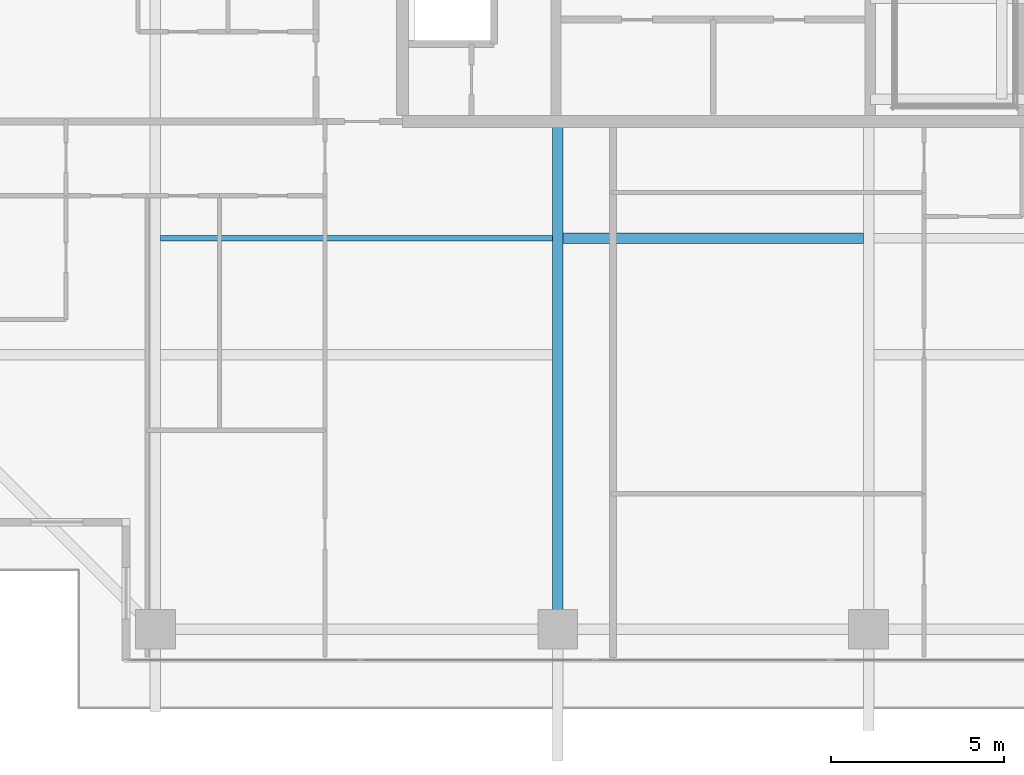
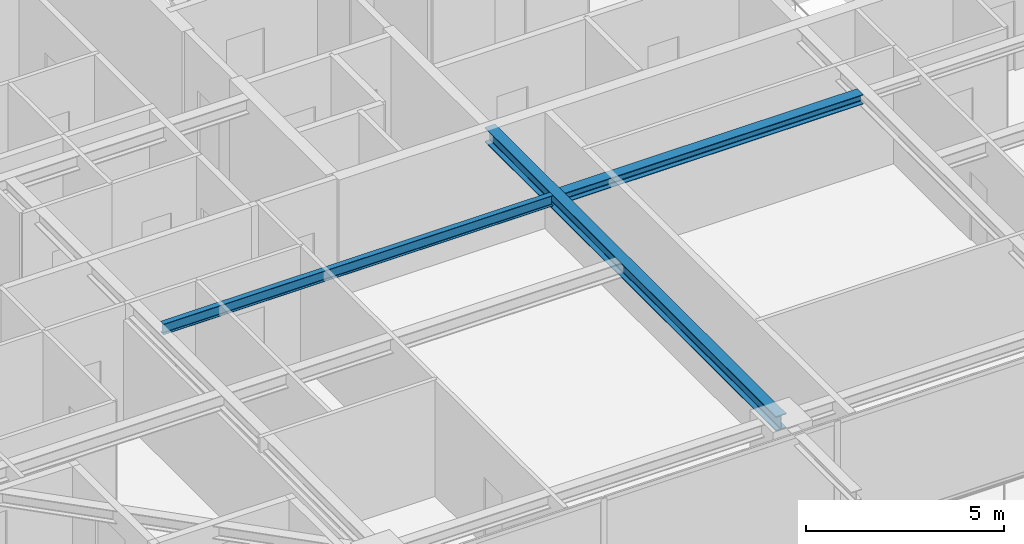
# One storey, part 7 of 38: 3 beams.
"""IFC4 building model written with IfcOpenShell, lengths in metres."""

from ifc_helpers import new_model, si_unit, direction, frame, origin, origin_2d, place, context, subcontext, project, spatial, i_section, extrude, source, transform, mapped, material, material_profile, profile_set, type_object, element, save


model = new_model("IFC4")

# Units and contexts
model_context = context("Model", 3, precision=1e-05, world=origin(), true_north=direction((0.0, 1.0)))
body_context = subcontext(model_context, "Body", "Model", "MODEL_VIEW")
ifc_project = project(units=[si_unit("LENGTHUNIT", "METRE"), si_unit("AREAUNIT", "SQUARE_METRE"), si_unit("VOLUMEUNIT", "CUBIC_METRE"), si_unit("PLANEANGLEUNIT", "RADIAN"), si_unit("MASSUNIT", "GRAM", prefix="KILO")], contexts=[model_context])

# Site, building, storey
site_placement = place(None, origin())
site = spatial("IfcSite", under=ifc_project, at=site_placement, CompositionType="ELEMENT")
building_placement = place(site_placement, origin())
building = spatial("IfcBuilding", under=site, at=building_placement, Name="Serunith Strait Residences", CompositionType="ELEMENT")
storey_placement = place(building_placement, frame((0.0, 0.0, 237.39990234375)))
storey = spatial("IfcBuildingStorey", under=building, at=storey_placement, Name="L59", CompositionType="ELEMENT", Elevation=237.39990234375)

# Beams
ifc_material = material(Name="Steel S355J2", Category="steel")
ifc_material_profile_1 = material_profile(ifc_material, i_section(OverallWidth=0.300048828125, OverallDepth=0.300048828125, WebThickness=0.010986328125, FlangeThickness=0.01904296875, FilletRadius=0.027099609375, at=origin_2d()), Name="HEB 300")
ifc_profile_set_1 = profile_set([ifc_material_profile_1], Name="Steel S355J2")
beam_type_1 = type_object("IfcBeamType", Name="BM-HEB300", PredefinedType="JOIST", material=ifc_profile_set_1)
shared_shape_1 = source(origin(), body_context, "Body", "SweptSolid", [
    extrude(i_section(OverallWidth=0.300048828125, OverallDepth=0.300048828125, WebThickness=0.010986328125, FlangeThickness=0.01904296875, FilletRadius=0.027099609375, at=origin_2d()), origin(), (0.0, 0.0, 1.0), 8.699951171875),
])
beam_1_placement = place(storey_placement, frame((28.050048828125, 13.425048828125, 3.43701171875), z_axis=(1.0, 0.0, 0.0), x_axis=(0.0, 1.0, 0.0)))
element("IfcBeam", 1, at=beam_1_placement, inside=storey, type_object=beam_type_1, Name="L59 Composite Floor Joist 02", PredefinedType="JOIST", context=body_context, shape_type="MappedRepresentation", body=[
    mapped(shared_shape_1, transform((0.0, 0.0, 0.0), scale=1.0)),
])
ifc_material_profile_2 = material_profile(ifc_material, i_section(OverallWidth=0.300048828125, OverallDepth=0.449951171875, WebThickness=0.013916015625, FlangeThickness=0.02587890625, FilletRadius=0.027099609375, at=origin_2d()), Name="HEB 450")
ifc_profile_set_2 = profile_set([ifc_material_profile_2], Name="Steel S355J2")
beam_type_2 = type_object("IfcBeamType", Name="BM-HEB450", PredefinedType="BEAM", material=ifc_profile_set_2)
shared_shape_2 = source(origin(), body_context, "Body", "SweptSolid", [
    extrude(i_section(OverallWidth=0.300048828125, OverallDepth=0.449951171875, WebThickness=0.013916015625, FlangeThickness=0.02587890625, FilletRadius=0.027099609375, at=origin_2d()), origin(), (0.0, 0.0, 1.0), 14.699951171875),
])
beam_2_placement = place(storey_placement, frame((27.89990234375, 16.800048828125, 3.362060546875), z_axis=(0.0, -1.0, 0.0), x_axis=(1.0, 0.0, 0.0)))
element("IfcBeam", 2, at=beam_2_placement, inside=storey, type_object=beam_type_2, Name="L59 Primary Floor Girder TC-S2", PredefinedType="BEAM", context=body_context, shape_type="MappedRepresentation", body=[
    mapped(shared_shape_2, transform((0.0, 0.0, 0.0), scale=1.0)),
])
ifc_material_profile_3 = material_profile(ifc_material, i_section(OverallWidth=0.159912109375, OverallDepth=0.330078125, WebThickness=0.007568359375, FlangeThickness=0.011474609375, FilletRadius=0.01806640625, at=origin_2d()), Name="IPE 330")
ifc_profile_set_3 = profile_set([ifc_material_profile_3], Name="Steel S355J2")
beam_type_3 = type_object("IfcBeamType", Name="BM-IPE330", PredefinedType="JOIST", material=ifc_profile_set_3)
shared_shape_3 = source(origin(), body_context, "Body", "SweptSolid", [
    extrude(i_section(OverallWidth=0.159912109375, OverallDepth=0.330078125, WebThickness=0.007568359375, FlangeThickness=0.011474609375, FilletRadius=0.01806640625, at=origin_2d()), origin(), (0.0, 0.0, 1.0), 11.35009765625),
])
beam_3_placement = place(storey_placement, frame((16.39990234375, 13.425048828125, 3.422119140625), z_axis=(1.0, 0.0, 0.0), x_axis=(0.0, 1.0, 0.0)))
element("IfcBeam", 3, at=beam_3_placement, inside=storey, type_object=beam_type_3, Name="L59 Composite Floor Joist 01", PredefinedType="JOIST", context=body_context, shape_type="MappedRepresentation", body=[
    mapped(shared_shape_3, transform((0.0, 0.0, 0.0), scale=1.0)),
])

save(model, "model.ifc")
